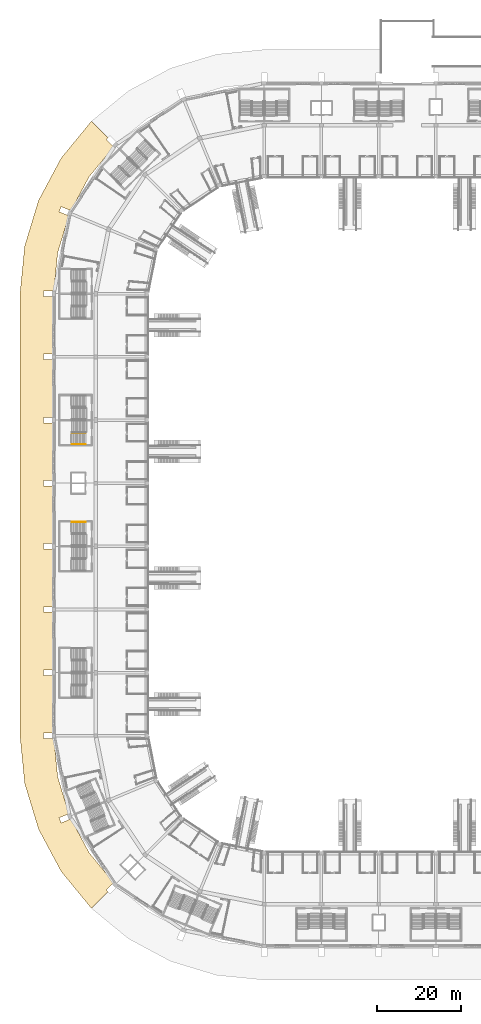
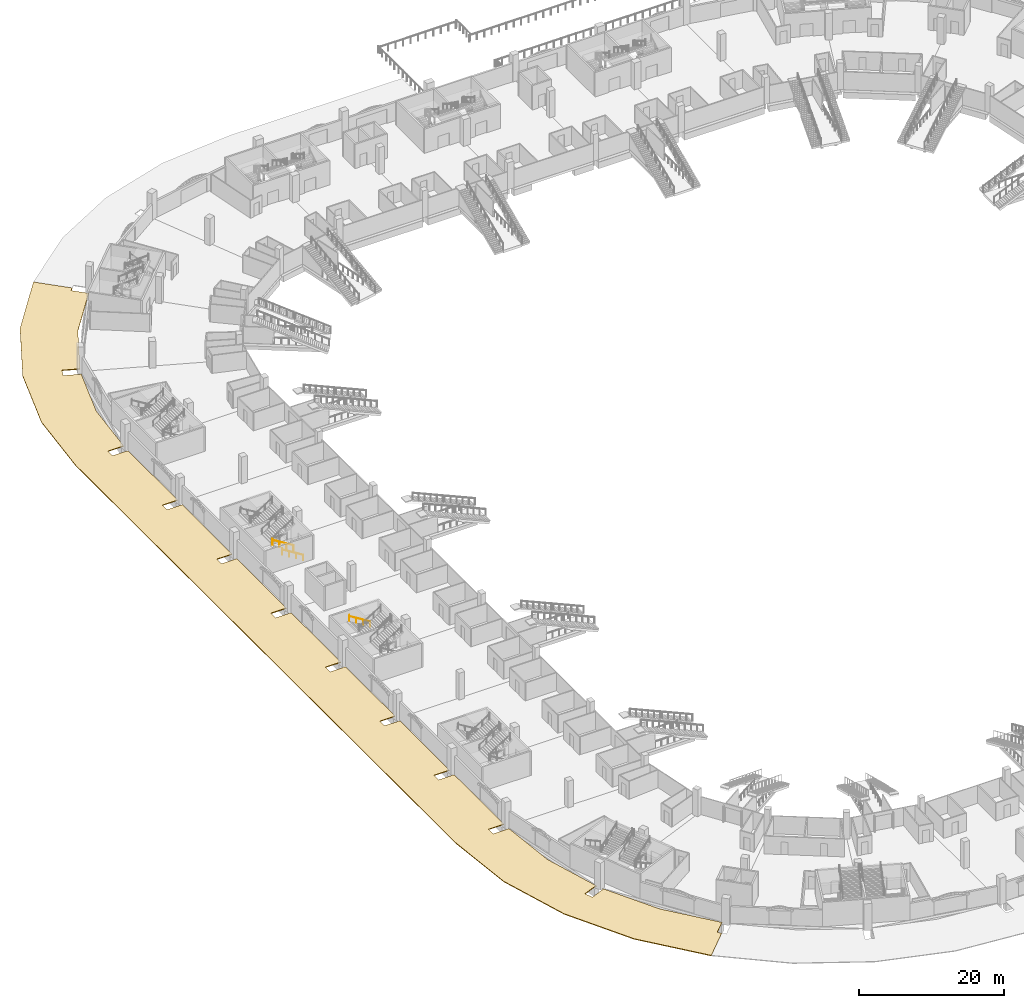
# One storey, part 158 of 175: 3 railings, 1 covering.
"""IFC4 building model written with IfcOpenShell, lengths in metres."""

from ifc_helpers import new_model, si_unit, direction, frame, origin, origin_2d, place, context, subcontext, project, spatial, polyline, circle, outline, extrude, material, layer, layer_set, type_object, element, save


model = new_model("IFC4")

# Units and contexts
model_context = context("Model", 3, precision=1e-05, world=origin(), true_north=direction((0.0, 1.0)))
body_context = subcontext(model_context, "Body", "Model", "MODEL_VIEW")
ifc_project = project(units=[si_unit("LENGTHUNIT", "METRE"), si_unit("AREAUNIT", "SQUARE_METRE"), si_unit("VOLUMEUNIT", "CUBIC_METRE"), si_unit("PLANEANGLEUNIT", "RADIAN"), si_unit("MASSUNIT", "GRAM", prefix="KILO")], contexts=[model_context])

# Site, building, storey
site_placement = place(None, origin())
site = spatial("IfcSite", under=ifc_project, at=site_placement, CompositionType="ELEMENT")
building_placement = place(site_placement, origin())
building = spatial("IfcBuilding", under=site, at=building_placement, Name="Ogive Plaza Stadium", CompositionType="ELEMENT")
storey_placement = place(building_placement, origin())
storey = spatial("IfcBuildingStorey", under=building, at=storey_placement, Name="L00", CompositionType="ELEMENT", Elevation=0.0)

# Railings
ifc_material_1 = material(Name="Steel ASTM A572 Grade 50", Category="steel")
railing_type = type_object("IfcRailingType", Name="Handrail 900", PredefinedType="HANDRAIL", material=ifc_material_1)
for number, where, name in (
    (1, (-76.35009765625, -1.735107421875, 0.173095703125), "Handrail ST24A L00"),
    (2, (-76.35009765625, 19.4150390625, 0.173095703125), "Handrail ST26B L00"),
    (3, (-76.35009765625, 16.735107421875, 0.173095703125), "Handrail ST26B L00"),
):
    element("IfcRailing", number, at=place(storey_placement, frame(where)), inside=storey, type_object=railing_type, Name=name, PredefinedType="HANDRAIL", context=body_context, shape_type="SweptSolid", body=[
        extrude(circle(Radius=0.02392578125, at=origin_2d()), frame((0.0, 0.0, 0.8759765625), z_axis=(-0.850606129759, 0.0, 0.525803396734), x_axis=(0.0, -1.0, 0.0)), (0.0, 0.0, 1.0), 3.949951171875),
        extrude(circle(Radius=0.02099609375, at=origin_2d()), origin(), (0.0, 0.0, 1.0), 0.851806640625),
        extrude(circle(Radius=0.02099609375, at=origin_2d()), frame((-1.119873046875, 0.0, 0.6923828125)), (0.0, 0.0, 1.0), 0.851806640625),
        extrude(circle(Radius=0.02099609375, at=origin_2d()), frame((-2.239990234375, 0.0, 1.384521484375)), (0.0, 0.0, 1.0), 0.851806640625),
        extrude(circle(Radius=0.02099609375, at=origin_2d()), frame((-3.35986328125, 0.0, 2.076904296875)), (0.0, 0.0, 1.0), 1.10009765625),
    ])

# Covering
ifc_material_2 = material(Name="Granite paving", Category="masonry")
ifc_layer = layer(ifc_material_2, 0.1201171875)
ifc_layer_set = layer_set([ifc_layer], Name="Paving 120")
covering_type = type_object("IfcCoveringType", Name="Paving 120", PredefinedType="USERDEFINED", material=ifc_layer_set)
covering_placement = place(storey_placement, frame((0.0, 0.0, -0.1201171875)))
element("IfcCovering", 4, at=covering_placement, inside=storey, type_object=covering_type, Name="Paving West 4", ObjectType="PAVING", PredefinedType="USERDEFINED", context=body_context, shape_type="SweptSolid", body=[
    extrude(outline(polyline([(-82.225341796875, -84.72314453125), (-87.5849609375, -74.695556640625), (-90.885498046875, -63.815185546875), (-92.0, -52.5), (-92.0, 52.5), (-90.885498046875, 63.815185546875), (-87.5849609375, 74.695556640625), (-82.225341796875, 84.72314453125), (-75.01220703125, 93.51220703125), (-71.087646484375, 89.587646484375), (-71.54736328125, 89.128173828125), (-69.779541015625, 87.3603515625), (-69.678955078125, 87.4609375), (-75.573486328125, 80.278564453125), (-79.95361328125, 72.083984375), (-79.89892578125, 72.215576171875), (-82.208740234375, 73.17236328125), (-82.706298828125, 71.97119140625), (-80.396484375, 71.014404296875), (-80.342041015625, 71.14599609375), (-83.039306640625, 62.25439453125), (-83.949951171875, 53.007568359375), (-83.949951171875, 53.14990234375), (-86.449951171875, 53.14990234375), (-86.449951171875, 51.85009765625), (-84.0, 51.85009765625), (-84.0, 38.14990234375), (-86.449951171875, 38.14990234375), (-86.449951171875, 36.85009765625), (-84.0, 36.85009765625), (-84.0, 23.14990234375), (-86.449951171875, 23.14990234375), (-86.449951171875, 21.85009765625), (-84.0, 21.85009765625), (-84.0, 8.14990234375), (-86.449951171875, 8.14990234375), (-86.449951171875, 6.85009765625), (-84.0, 6.85009765625), (-84.0, -6.85009765625), (-86.449951171875, -6.85009765625), (-86.449951171875, -8.14990234375), (-84.0, -8.14990234375), (-84.0, -21.85009765625), (-86.449951171875, -21.85009765625), (-86.449951171875, -23.14990234375), (-84.0, -23.14990234375), (-84.0, -36.85009765625), (-86.449951171875, -36.85009765625), (-86.449951171875, -38.14990234375), (-84.0, -38.14990234375), (-84.0, -51.85009765625), (-86.449951171875, -51.85009765625), (-86.449951171875, -53.14990234375), (-83.949951171875, -53.14990234375), (-83.949951171875, -53.007568359375), (-83.039306640625, -62.25439453125), (-80.342041015625, -71.14599609375), (-80.396484375, -71.014404296875), (-82.706298828125, -71.97119140625), (-82.208740234375, -73.17236328125), (-79.89892578125, -72.215576171875), (-79.95361328125, -72.083984375), (-75.573486328125, -80.278564453125), (-69.678955078125, -87.4609375), (-69.779541015625, -87.3603515625), (-71.54736328125, -89.128173828125), (-71.087646484375, -89.587646484375), (-75.01220703125, -93.51220703125), (-82.225341796875, -84.72314453125)])), origin(), (0.0, 0.0, 1.0), 0.1201171875),
])

save(model, "model.ifc")
